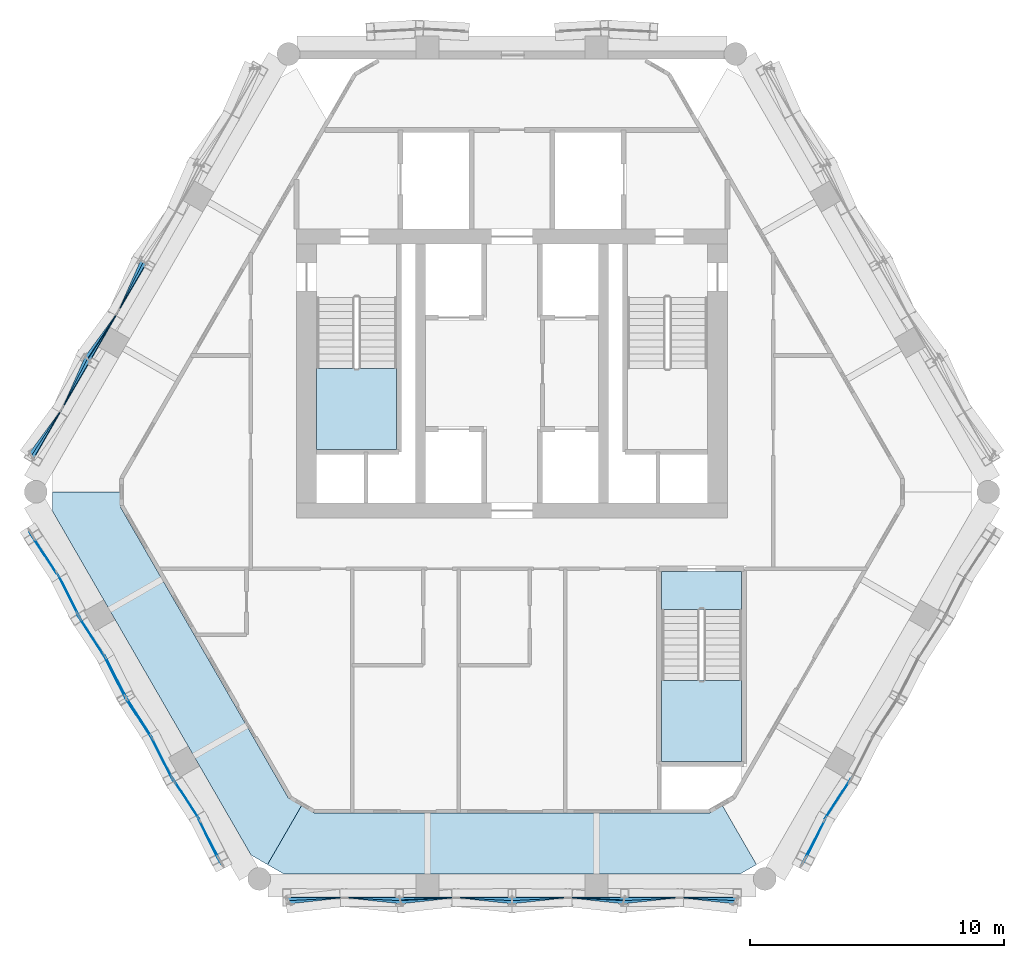
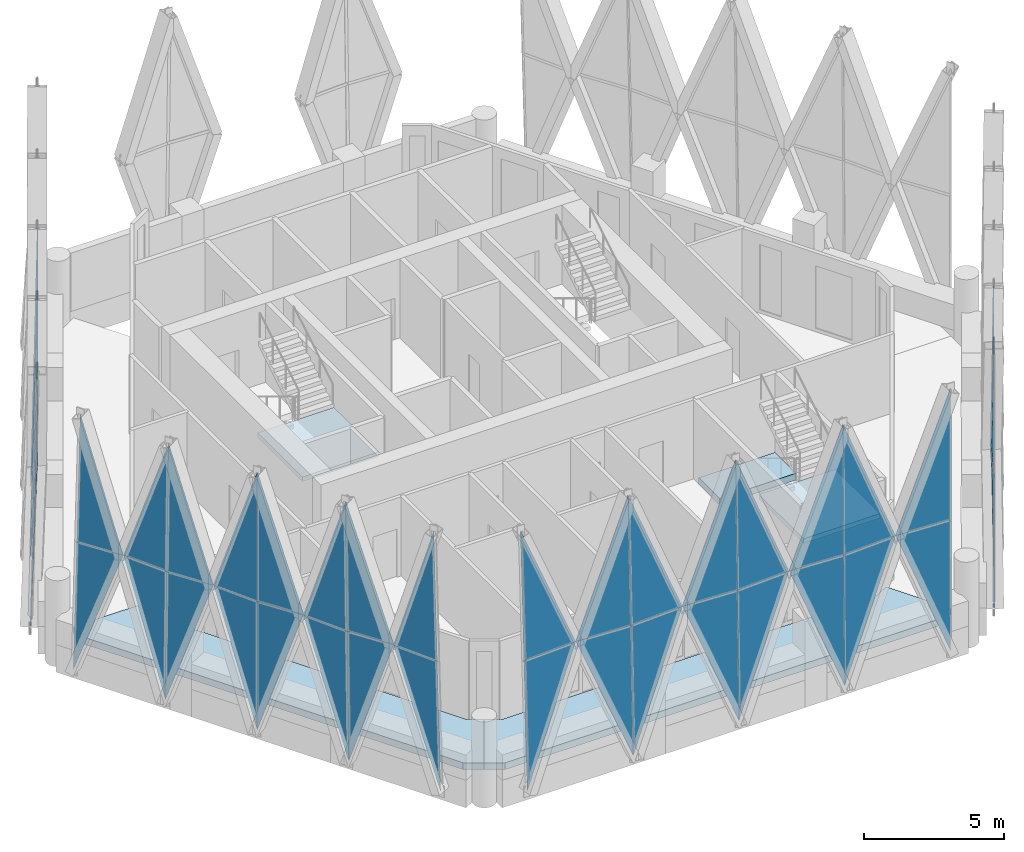
# One storey, part 10 of 22: 44 plates, 5 slabs, 18 elements without a shape of their own.
"""IFC4 building model written with IfcOpenShell, lengths in metres."""

from ifc_helpers import new_model, si_unit, direction, frame, origin, place, context, subcontext, project, spatial, polyline, outline, extrude, material, layer, layer_set, type_object, element, aggregate, save


model = new_model("IFC4")

# Units and contexts
model_context = context("Model", 3, precision=1e-05, world=origin(), true_north=direction((0.0, 1.0)))
body_context = subcontext(model_context, "Body", "Model", "MODEL_VIEW")
ifc_project = project(units=[si_unit("LENGTHUNIT", "METRE"), si_unit("AREAUNIT", "SQUARE_METRE"), si_unit("VOLUMEUNIT", "CUBIC_METRE"), si_unit("PLANEANGLEUNIT", "RADIAN"), si_unit("MASSUNIT", "GRAM", prefix="KILO")], contexts=[model_context])

# Site, building, storey
site_placement = place(None, origin())
site = spatial("IfcSite", under=ifc_project, at=site_placement, CompositionType="ELEMENT")
building_placement = place(site_placement, origin())
building = spatial("IfcBuilding", under=site, at=building_placement, Name="Ostrander Bayou Hotel Tower", CompositionType="ELEMENT")
storey_placement = place(building_placement, frame((0.0, 0.0, 245.0)))
storey = spatial("IfcBuildingStorey", under=building, at=storey_placement, Name="L60", CompositionType="ELEMENT", Elevation=245.0)

# Curtain wall, plate
ifc_material_1 = material(Name="Aluminium and clear glass", Category="aluminium")
curtain_wall_type = type_object("IfcCurtainWallType", Name="CW-LAT lattice glazing", PredefinedType="NOTDEFINED", material=ifc_material_1)
curtain_wall_1_placement = place(storey_placement, origin())
curtain_wall_1 = element("IfcCurtainWall", 1, at=curtain_wall_1_placement, inside=storey, type_object=curtain_wall_type, Name="CW-LAT L60 NW 3", PredefinedType="NOTDEFINED")
ifc_material_2 = material(Name="Clear laminated glass", Category="glass")
ifc_layer_1 = layer(ifc_material_2, 0.028076171875)
ifc_layer_set_1 = layer_set([ifc_layer_1], Name="CW-LA glazing panel 28 mm")
plate_type = type_object("IfcPlateType", Name="CW-LA glazing panel 28 mm", PredefinedType="CURTAIN_PANEL", material=ifc_layer_set_1)
plate_1_placement = place(storey_placement, frame((-15.53515625, 6.4267578125, 5.02490234375), z_axis=(-0.890622219472, 0.454222867184, 0.021763481126), x_axis=(0.148134693691, 0.335039645272, -0.930486189377)))
plate_1 = element("IfcPlate", 2, at=plate_1_placement, type_object=plate_type, Name="CW-LAT panel 9", PredefinedType="CURTAIN_PANEL", context=body_context, shape_type="SweptSolid", body=[
    extrude(outline(polyline([(0.0, 0.0), (6.045226747284706, 0.0), (0.8064430162176557, -2.052024332272967), (0.0, 0.0)])), origin(), (0.0, 0.0, -1.0), 0.028076171875),
])

curtain_wall_2_placement = place(storey_placement, origin())
curtain_wall_2 = element("IfcCurtainWall", 3, at=curtain_wall_2_placement, inside=storey, type_object=curtain_wall_type, Name="CW-LAT L60 NW 4", PredefinedType="NOTDEFINED")
plate_2_placement = place(storey_placement, frame((-15.53515625, 6.4267578125, 5.02490234375), z_axis=(-0.890621469547, 0.454222484717, 0.021802118246), x_axis=(0.183449642421, 0.315004739597, 0.931191839917)))
plate_2 = element("IfcPlate", 4, at=plate_2_placement, type_object=plate_type, Name="CW-LAT panel 10", PredefinedType="CURTAIN_PANEL", context=body_context, shape_type="SweptSolid", body=[
    extrude(outline(polyline([(0.0, 0.0), (6.040645717539933, 4.440892098500626e-16), (0.8024675324486339, 2.053582250121077), (0.0, 0.0)])), origin(), (0.0, 0.0, -1.0), 0.028076171875),
])

curtain_wall_3_placement = place(storey_placement, origin())
curtain_wall_3 = element("IfcCurtainWall", 5, at=curtain_wall_3_placement, inside=storey, type_object=curtain_wall_type, Name="CW-LAT L60 NW 1", PredefinedType="NOTDEFINED")
plate_3_placement = place(storey_placement, frame((-15.53515625, 6.4267578125, 5.02490234375), z_axis=(-0.838663151862, 0.544201168763, 0.022117993262), x_axis=(-0.213646786163, -0.291351243339, -0.932453486114)))
plate_3 = element("IfcPlate", 6, at=plate_3_placement, type_object=plate_type, Name="CW-LAT panel 11", PredefinedType="CURTAIN_PANEL", context=body_context, shape_type="SweptSolid", body=[
    extrude(outline(polyline([(0.0, 0.0), (6.0324724865794614, 0.0), (0.7953038623818991, 2.0564570004537654), (0.0, 0.0)])), origin(), (0.0, 0.0, -1.0), 0.028076171875),
])

curtain_wall_4_placement = place(storey_placement, origin())
curtain_wall_4 = element("IfcCurtainWall", 7, at=curtain_wall_4_placement, inside=storey, type_object=curtain_wall_type, Name="CW-LAT L60 NW 2", PredefinedType="NOTDEFINED")
plate_4_placement = place(storey_placement, frame((-15.53515625, 6.4267578125, 5.02490234375), z_axis=(-0.838663151862, 0.544201168763, 0.022117993262), x_axis=(-0.183621311744, -0.320742431868, 0.929197237551)))
plate_4 = element("IfcPlate", 8, at=plate_4_placement, type_object=plate_type, Name="CW-LAT panel 12", PredefinedType="CURTAIN_PANEL", context=body_context, shape_type="SweptSolid", body=[
    extrude(outline(polyline([(0.0, 0.0), (6.053612486864427, 0.0), (0.8136296465735186, -2.0492755857745237), (0.0, 0.0)])), origin(), (0.0, 0.0, -1.0), 0.028076171875),
])

# Plate
plate_5_placement = place(storey_placement, frame((-17.737060546875, 2.61279296875, 5.02490234375), z_axis=(-0.89065083358, 0.454181005491, 0.021464083839), x_axis=(0.150716283941, 0.339434026641, -0.928476786632)))
plate_5 = element("IfcPlate", 9, at=plate_5_placement, type_object=plate_type, Name="CW-LAT panel 13", PredefinedType="CURTAIN_PANEL", context=body_context, shape_type="SweptSolid", body=[
    extrude(outline(polyline([(0.0, 0.0), (6.0583097832819774, 4.440892098500626e-16), (0.8177429422264888, -2.0477816723040547), (0.0, 0.0)])), origin(), (0.0, 0.0, -1.0), 0.028076171875),
])

aggregate(curtain_wall_1, [plate_1, plate_5])

plate_6_placement = place(storey_placement, frame((-17.737060546875, 2.61279296875, 5.02490234375), z_axis=(-0.89065083358, 0.454181005491, 0.021464083839), x_axis=(0.180882322919, 0.310610509285, 0.933168096742)))
plate_6 = element("IfcPlate", 10, at=plate_6_placement, type_object=plate_type, Name="CW-LAT panel 14", PredefinedType="CURTAIN_PANEL", context=body_context, shape_type="SweptSolid", body=[
    extrude(outline(polyline([(0.0, 0.0), (6.027852880566225, -4.440892098500626e-16), (0.7913409005467719, 2.058128488726457), (0.0, 0.0)])), origin(), (0.0, 0.0, -1.0), 0.028076171875),
])

aggregate(curtain_wall_2, [plate_2, plate_6])

plate_7_placement = place(storey_placement, frame((-17.737060546875, 2.61279296875, 5.02490234375), z_axis=(-0.838657194254, 0.544197302924, 0.022436711359), x_axis=(-0.211136151604, -0.286854783, -0.934417390119)))
plate_7 = element("IfcPlate", 11, at=plate_7_placement, type_object=plate_type, Name="CW-LAT panel 15", PredefinedType="CURTAIN_PANEL", context=body_context, shape_type="SweptSolid", body=[
    extrude(outline(polyline([(0.0, 0.0), (6.019793787534118, 0.0), (0.7839739153540016, 2.060802884382536), (0.0, 0.0)])), origin(), (0.0, 0.0, -1.0), 0.028076171875),
])

aggregate(curtain_wall_3, [plate_3, plate_7])

plate_8_placement = place(storey_placement, frame((-17.737060546875, 2.61279296875, 5.02490234375), z_axis=(-0.838657194254, 0.544197302924, 0.022436711359), x_axis=(-0.186158566981, -0.325113502515, 0.9271710729)))
plate_8 = element("IfcPlate", 12, at=plate_8_placement, type_object=plate_type, Name="CW-LAT panel 16", PredefinedType="CURTAIN_PANEL", context=body_context, shape_type="SweptSolid", body=[
    extrude(outline(polyline([(0.0, 0.0), (6.066841561836484, -4.440892098500626e-16), (0.824759621663542, -2.044821555712937), (0.0, 0.0)])), origin(), (0.0, 0.0, -1.0), 0.028076171875),
])

aggregate(curtain_wall_4, [plate_4, plate_8])

# Curtain wall, plate
curtain_wall_5_placement = place(storey_placement, origin())
curtain_wall_5 = element("IfcCurtainWall", 13, at=curtain_wall_5_placement, inside=storey, type_object=curtain_wall_type, Name="CW-LAT L60 SW 3", PredefinedType="NOTDEFINED")
plate_9_placement = place(storey_placement, frame((-17.9208984375, -3.9013671875, 5.02490234375), z_axis=(0.838107376858, 0.545503597539, 0.001360120238), x_axis=(-0.182056071659, 0.28205812674, -0.941965392099)))
plate_9 = element("IfcPlate", 14, at=plate_9_placement, type_object=plate_type, Name="CW-LAT panel 1", PredefinedType="CURTAIN_PANEL", context=body_context, shape_type="SweptSolid", body=[
    extrude(outline(polyline([(0.0, 0.0), (5.971556967147268, -2.220446049250313e-16), (0.6254744152696513, 1.7550269544099035), (0.0, 0.0)])), origin(), (0.0, 0.0, -1.0), 0.028076171875),
])

curtain_wall_6_placement = place(storey_placement, origin())
curtain_wall_6 = element("IfcCurtainWall", 15, at=curtain_wall_6_placement, inside=storey, type_object=curtain_wall_type, Name="CW-LAT L60 SW 4", PredefinedType="NOTDEFINED")
plate_10_placement = place(storey_placement, frame((-17.9208984375, -3.9013671875, 5.02490234375), z_axis=(0.838107403613, 0.545503614953, 0.001336443909), x_axis=(-0.160737089624, 0.244612550025, 0.95620514974)))
plate_10 = element("IfcPlate", 16, at=plate_10_placement, type_object=plate_type, Name="CW-LAT panel 2", PredefinedType="CURTAIN_PANEL", context=body_context, shape_type="SweptSolid", body=[
    extrude(outline(polyline([(0.0, 0.0), (5.882628849602744, 0.0), (0.5453345639803877, -1.781557764483244), (0.0, 0.0)])), origin(), (0.0, 0.0, -1.0), 0.028076171875),
])

curtain_wall_7_placement = place(storey_placement, origin())
curtain_wall_7 = element("IfcCurtainWall", 17, at=curtain_wall_7_placement, inside=storey, type_object=curtain_wall_type, Name="CW-LAT L60 SW 1", PredefinedType="NOTDEFINED")
plate_11_placement = place(storey_placement, frame((-17.9208984375, -3.9013671875, 5.02490234375), z_axis=(-0.891472848393, -0.453073649286, 0.000654904661), x_axis=(0.137005406206, -0.270950625253, -0.952793407484)))
plate_11 = element("IfcPlate", 18, at=plate_11_placement, type_object=plate_type, Name="CW-LAT panel 3", PredefinedType="CURTAIN_PANEL", context=body_context, shape_type="SweptSolid", body=[
    extrude(outline(polyline([(0.0, 0.0), (5.903693241175272, -2.220446049250313e-16), (0.5657501828332349, 1.7753949495580628), (0.0, 0.0)])), origin(), (0.0, 0.0, -1.0), 0.028076171875),
])

curtain_wall_8_placement = place(storey_placement, origin())
curtain_wall_8 = element("IfcCurtainWall", 19, at=curtain_wall_8_placement, inside=storey, type_object=curtain_wall_type, Name="CW-LAT L60 SW 2", PredefinedType="NOTDEFINED")
plate_12_placement = place(storey_placement, frame((-17.9208984375, -3.9013671875, 5.02490234375), z_axis=(-0.89147283674, -0.453073643364, 0.000674569307), x_axis=(0.147883150311, -0.2895685888, 0.945664108568)))
plate_12 = element("IfcPlate", 20, at=plate_12_placement, type_object=plate_type, Name="CW-LAT panel 4", PredefinedType="CURTAIN_PANEL", context=body_context, shape_type="SweptSolid", body=[
    extrude(outline(polyline([(0.0, 0.0), (5.948200792473272, 0.0), (0.6058605009694835, -1.7621105384331375), (0.0, 0.0)])), origin(), (0.0, 0.0, -1.0), 0.028076171875),
])

# Plate
plate_13_placement = place(storey_placement, frame((-16.060302734375, -7.1240234375, 5.02490234375), z_axis=(0.838107951467, 0.545503971538, 0.000691898779), x_axis=(-0.176819467009, 0.272863467195, -0.94566400183)))
plate_13 = element("IfcPlate", 21, at=plate_13_placement, type_object=plate_type, Name="CW-LAT panel 5", PredefinedType="CURTAIN_PANEL", context=body_context, shape_type="SweptSolid", body=[
    extrude(outline(polyline([(0.0, 0.0), (5.948201463854604, -2.220446049250313e-16), (0.6057944768884687, 1.7619168273881831), (0.0, 0.0)])), origin(), (0.0, 0.0, -1.0), 0.028076171875),
])

plate_14_placement = place(storey_placement, frame((-16.060302734375, -7.1240234375, 5.02490234375), z_axis=(0.838107964962, 0.545503980321, 0.000668222402), x_axis=(-0.166159795937, 0.254119448988, 0.952792856743)))
plate_14 = element("IfcPlate", 22, at=plate_14_placement, type_object=plate_type, Name="CW-LAT panel 6", PredefinedType="CURTAIN_PANEL", context=body_context, shape_type="SweptSolid", body=[
    extrude(outline(polyline([(0.0, 0.0), (5.903696653677123, 2.220446049250313e-16), (0.565691217337407, -1.7751989470167946), (0.0, 0.0)])), origin(), (0.0, 0.0, -1.0), 0.028076171875),
])

plate_15_placement = place(storey_placement, frame((-16.060302734375, -7.1240234375, 5.02490234375), z_axis=(-0.891446139228, -0.453126671976, 0.0), x_axis=(0.142474711453, -0.280293655875, -0.949282056647)))
plate_15 = element("IfcPlate", 23, at=plate_15_placement, type_object=plate_type, Name="CW-LAT panel 7", PredefinedType="CURTAIN_PANEL", context=body_context, shape_type="SweptSolid", body=[
    extrude(outline(polyline([(0.0, 0.0), (5.925530732001198, -2.220446049250313e-16), (0.5858191633609695, 1.7686450643726424), (0.0, 0.0)])), origin(), (0.0, 0.0, -1.0), 0.028076171875),
])

plate_16_placement = place(storey_placement, frame((-16.060302734375, -7.1240234375, 5.02490234375), z_axis=(0.891446139228, 0.453126671976, 0.0), x_axis=(0.142474711453, -0.280293655875, 0.949282056647)))
plate_16 = element("IfcPlate", 24, at=plate_16_placement, type_object=plate_type, Name="CW-LAT panel 8", PredefinedType="CURTAIN_PANEL", context=body_context, shape_type="SweptSolid", body=[
    extrude(outline(polyline([(0.0, 0.0), (5.925530732001198, -2.220446049250313e-16), (0.5858191633609695, 1.7686450643726424), (0.0, 0.0)])), origin(), (0.0, 0.0, -1.0), 0.028076171875),
])

plate_17_placement = place(storey_placement, frame((-14.19970703125, -10.3466796875, 5.02490234375), z_axis=(0.838147138746, 0.545444198624, 0.0), x_axis=(-0.17151977291, 0.263562812228, -0.949271094847)))
plate_17 = element("IfcPlate", 25, at=plate_17_placement, type_object=plate_type, Name="CW-LAT panel 9", PredefinedType="CURTAIN_PANEL", context=body_context, shape_type="SweptSolid", body=[
    extrude(outline(polyline([(0.0, 0.0), (5.9255991576449745, -2.220446049250313e-16), (0.5859492491325975, 1.768831211428544), (0.0, 0.0)])), origin(), (0.0, 0.0, -1.0), 0.028076171875),
])

plate_18_placement = place(storey_placement, frame((-14.19970703125, -10.3466796875, 5.02490234375), z_axis=(-0.838147138746, -0.545444198624, 0.0), x_axis=(-0.17151977291, 0.263562812228, 0.949271094847)))
plate_18 = element("IfcPlate", 26, at=plate_18_placement, type_object=plate_type, Name="CW-LAT panel 10", PredefinedType="CURTAIN_PANEL", context=body_context, shape_type="SweptSolid", body=[
    extrude(outline(polyline([(0.0, 0.0), (5.9255991576449745, -2.220446049250313e-16), (0.5859492491325975, 1.768831211428544), (0.0, 0.0)])), origin(), (0.0, 0.0, -1.0), 0.028076171875),
])

plate_19_placement = place(storey_placement, frame((-14.19970703125, -10.3466796875, 5.02490234375), z_axis=(0.891445948494, 0.453126575024, 0.000654156494), x_axis=(0.147883150311, -0.2895685888, -0.945664108568)))
plate_19 = element("IfcPlate", 27, at=plate_19_placement, type_object=plate_type, Name="CW-LAT panel 11", PredefinedType="CURTAIN_PANEL", context=body_context, shape_type="SweptSolid", body=[
    extrude(outline(polyline([(0.0, 0.0), (5.948200792473272, 2.220446049250313e-16), (0.6057898055132335, -1.7619046987356881), (0.0, 0.0)])), origin(), (0.0, 0.0, -1.0), 0.028076171875),
])

plate_20_placement = place(storey_placement, frame((-14.19970703125, -10.3466796875, 5.02490234375), z_axis=(0.891445936853, 0.453126569107, 0.000673823437), x_axis=(0.137005406206, -0.270950625253, 0.952793407484)))
plate_20 = element("IfcPlate", 28, at=plate_20_placement, type_object=plate_type, Name="CW-LAT panel 12", PredefinedType="CURTAIN_PANEL", context=body_context, shape_type="SweptSolid", body=[
    extrude(outline(polyline([(0.0, 0.0), (5.903693241175272, -2.220446049250313e-16), (0.5656840327782413, 1.7751876044380215), (0.0, 0.0)])), origin(), (0.0, 0.0, -1.0), 0.028076171875),
])

plate_21_placement = place(storey_placement, frame((-12.339111328125, -13.569091796875, 5.02490234375), z_axis=(-0.838107951467, -0.545503971538, 0.000691898779), x_axis=(-0.166161541966, 0.254080765017, -0.952802868814)))
plate_21 = element("IfcPlate", 29, at=plate_21_placement, type_object=plate_type, Name="CW-LAT panel 13", PredefinedType="CURTAIN_PANEL", context=body_context, shape_type="SweptSolid", body=[
    extrude(outline(polyline([(0.0, 0.0), (5.903634617518162, 4.440892098500626e-16), (0.5656325859992353, -1.7752176296212336), (0.0, 0.0)])), origin(), (0.0, 0.0, -1.0), 0.028076171875),
])

aggregate(curtain_wall_5, [plate_9, plate_13, plate_17, plate_21])

plate_22_placement = place(storey_placement, frame((-12.339111328125, -13.569091796875, 5.02490234375), z_axis=(-0.838107964962, -0.545503980321, 0.000668222402), x_axis=(-0.176821447188, 0.272825478054, 0.945674592203)))
plate_22 = element("IfcPlate", 30, at=plate_22_placement, type_object=plate_type, Name="CW-LAT panel 14", PredefinedType="CURTAIN_PANEL", context=body_context, shape_type="SweptSolid", body=[
    extrude(outline(polyline([(0.0, 0.0), (5.948134851434504, -2.220446049250313e-16), (0.6057371685253753, 1.761936530505306), (0.0, 0.0)])), origin(), (0.0, 0.0, -1.0), 0.028076171875),
])

aggregate(curtain_wall_6, [plate_10, plate_14, plate_18, plate_22])

plate_23_placement = place(storey_placement, frame((-12.339111328125, -13.569091796875, 5.02490234375), z_axis=(0.891472251731, 0.453073346044, 0.001329473088), x_axis=(0.153231075086, -0.298735182938, -0.941954100847)))
plate_23 = element("IfcPlate", 31, at=plate_23_placement, type_object=plate_type, Name="CW-LAT panel 15", PredefinedType="CURTAIN_PANEL", context=body_context, shape_type="SweptSolid", body=[
    extrude(outline(polyline([(0.0, 0.0), (5.971628548503757, 2.220446049250313e-16), (0.6256023540909723, -1.7551986186320763), (0.0, 0.0)])), origin(), (0.0, 0.0, -1.0), 0.028076171875),
])

aggregate(curtain_wall_7, [plate_11, plate_15, plate_19, plate_23])

plate_24_placement = place(storey_placement, frame((-12.339111328125, -13.569091796875, 5.02490234375), z_axis=(0.891472205206, 0.453073322399, 0.001368165388), x_axis=(0.131437484346, -0.261505395916, 0.956210811284)))
plate_24 = element("IfcPlate", 32, at=plate_24_placement, type_object=plate_type, Name="CW-LAT panel 16", PredefinedType="CURTAIN_PANEL", context=body_context, shape_type="SweptSolid", body=[
    extrude(outline(polyline([(0.0, 0.0), (5.882594019669017, -2.220446049250313e-16), (0.5453597496776253, 1.7817640808265478), (0.0, 0.0)])), origin(), (0.0, 0.0, -1.0), 0.028076171875),
])

aggregate(curtain_wall_8, [plate_12, plate_16, plate_20, plate_24])

# Curtain wall, plate
curtain_wall_9_placement = place(storey_placement, origin())
curtain_wall_9 = element("IfcCurtainWall", 33, at=curtain_wall_9_placement, inside=storey, type_object=curtain_wall_type, Name="CW-LAT L60 S 3", PredefinedType="NOTDEFINED")
plate_25_placement = place(storey_placement, frame((-6.605712890625, -16.667236328125, 5.02490234375), z_axis=(0.051918074886, -0.998398971004, 0.022450126915), x_axis=(-0.354012987574, -0.039420394538, -0.93440935201)))
plate_25 = element("IfcPlate", 34, at=plate_25_placement, type_object=plate_type, Name="CW-LAT panel 1", PredefinedType="CURTAIN_PANEL", context=body_context, shape_type="SweptSolid", body=[
    extrude(outline(polyline([(0.0, 0.0), (6.019845571858028, 0.0), (0.7840164306553548, -2.0607793347004586), (0.0, 0.0)])), origin(), (0.0, 0.0, -1.0), 0.028076171875),
])

curtain_wall_10_placement = place(storey_placement, origin())
curtain_wall_10 = element("IfcCurtainWall", 35, at=curtain_wall_10_placement, inside=storey, type_object=curtain_wall_type, Name="CW-LAT L60 S 4", PredefinedType="NOTDEFINED")
plate_26_placement = place(storey_placement, frame((-6.605712890625, -16.667236328125, 5.02490234375), z_axis=(0.051918074886, -0.998398971004, 0.022450126915), x_axis=(-0.374614398759, 0.00136823392, 0.927179691418)))
plate_26 = element("IfcPlate", 36, at=plate_26_placement, type_object=plate_type, Name="CW-LAT panel 2", PredefinedType="CURTAIN_PANEL", context=body_context, shape_type="SweptSolid", body=[
    extrude(outline(polyline([(0.0, 0.0), (6.066785168036241, 0.0), (0.8247083888429513, 2.0448347862940155), (0.0, 0.0)])), origin(), (0.0, 0.0, -1.0), 0.028076171875),
])

curtain_wall_11_placement = place(storey_placement, origin())
curtain_wall_11 = element("IfcCurtainWall", 37, at=curtain_wall_11_placement, inside=storey, type_object=curtain_wall_type, Name="CW-LAT L60 S 1", PredefinedType="NOTDEFINED")
plate_27_placement = place(storey_placement, frame((-6.605712890625, -16.667236328125, 5.02490234375), z_axis=(-0.051919192497, -0.99842046297, 0.021470365016), x_axis=(0.369298447368, -0.039170459498, -0.928484965885)))
plate_27 = element("IfcPlate", 38, at=plate_27_placement, type_object=plate_type, Name="CW-LAT panel 3", PredefinedType="CURTAIN_PANEL", context=body_context, shape_type="SweptSolid", body=[
    extrude(outline(polyline([(0.0, 0.0), (6.058256414135914, 0.0), (0.8176449322070849, 2.0476694056175426), (0.0, 0.0)])), origin(), (0.0, 0.0, -1.0), 0.028076171875),
])

curtain_wall_12_placement = place(storey_placement, origin())
curtain_wall_12 = element("IfcCurtainWall", 39, at=curtain_wall_12_placement, inside=storey, type_object=curtain_wall_type, Name="CW-LAT L60 S 2", PredefinedType="NOTDEFINED")
plate_28_placement = place(storey_placement, frame((-6.605712890625, -16.667236328125, 5.02490234375), z_axis=(-0.051919192497, -0.99842046297, 0.021470365016), x_axis=(0.359418379895, 0.001377081915, 0.933175509665)))
plate_28 = element("IfcPlate", 40, at=plate_28_placement, type_object=plate_type, Name="CW-LAT panel 4", PredefinedType="CURTAIN_PANEL", context=body_context, shape_type="SweptSolid", body=[
    extrude(outline(polyline([(0.0, 0.0), (6.027804996743497, 0.0), (0.7912471964968107, -2.05801387359317), (0.0, 0.0)])), origin(), (0.0, 0.0, -1.0), 0.028076171875),
])

# Plate
plate_29_placement = place(storey_placement, frame((-2.201904296875, -16.667236328125, 5.02490234375), z_axis=(0.051918452958, -0.99840624143, 0.022123546663), x_axis=(-0.359140518013, -0.039337906638, -0.932454083279)))
plate_29 = element("IfcPlate", 41, at=plate_29_placement, type_object=plate_type, Name="CW-LAT panel 5", PredefinedType="CURTAIN_PANEL", context=body_context, shape_type="SweptSolid", body=[
    extrude(outline(polyline([(0.0, 0.0), (6.032468623250849, 0.0), (0.7952973169361344, -2.056452140833872), (0.0, 0.0)])), origin(), (0.0, 0.0, -1.0), 0.028076171875),
])

plate_30_placement = place(storey_placement, frame((-2.201904296875, -16.667236328125, 5.02490234375), z_axis=(0.051918452958, -0.99840624143, 0.022123546663), x_axis=(-0.369581738258, 0.001371211163, 0.929197211859)))
plate_30 = element("IfcPlate", 42, at=plate_30_placement, type_object=plate_type, Name="CW-LAT panel 6", PredefinedType="CURTAIN_PANEL", context=body_context, shape_type="SweptSolid", body=[
    extrude(outline(polyline([(0.0, 0.0), (6.053612654248606, -4.440892098500626e-16), (0.8136266111612648, 2.049269374063904), (0.0, 0.0)])), origin(), (0.0, 0.0, -1.0), 0.028076171875),
])

plate_31_placement = place(storey_placement, frame((-2.201904296875, -16.667236328125, 5.02490234375), z_axis=(-0.051918825495, -0.99841340542, 0.021796959328), x_axis=(0.364235731847, -0.039254588242, -0.930479128701)))
plate_31 = element("IfcPlate", 43, at=plate_31_placement, type_object=plate_type, Name="CW-LAT panel 7", PredefinedType="CURTAIN_PANEL", context=body_context, shape_type="SweptSolid", body=[
    extrude(outline(polyline([(0.0, 0.0), (6.045272619767124, 4.440892098500626e-16), (0.8065069500519685, 2.052081813521064), (0.0, 0.0)])), origin(), (0.0, 0.0, -1.0), 0.028076171875),
])

plate_32_placement = place(storey_placement, frame((-2.201904296875, -16.667236328125, 5.02490234375), z_axis=(-0.051918825495, -0.99841340542, 0.021796959328), x_axis=(0.364516341977, 0.00137416073, 0.931195977286)))
plate_32 = element("IfcPlate", 44, at=plate_32_placement, type_object=plate_type, Name="CW-LAT panel 8", PredefinedType="CURTAIN_PANEL", context=body_context, shape_type="SweptSolid", body=[
    extrude(outline(polyline([(0.0, 0.0), (6.040618878522792, 4.440892098500626e-16), (0.802472755592291, -2.0536627538128407), (0.0, 0.0)])), origin(), (0.0, 0.0, -1.0), 0.028076171875),
])

plate_33_placement = place(storey_placement, frame((2.201904296875, -16.667236328125, 5.02490234375), z_axis=(0.051918825495, -0.99841340542, 0.021796959328), x_axis=(-0.364235731847, -0.039254588242, -0.930479128701)))
plate_33 = element("IfcPlate", 45, at=plate_33_placement, type_object=plate_type, Name="CW-LAT panel 9", PredefinedType="CURTAIN_PANEL", context=body_context, shape_type="SweptSolid", body=[
    extrude(outline(polyline([(0.0, 0.0), (6.045272619767124, -4.440892098500626e-16), (0.8065069500519685, -2.052081813521064), (0.0, 0.0)])), origin(), (0.0, 0.0, -1.0), 0.028076171875),
])

plate_34_placement = place(storey_placement, frame((2.201904296875, -16.667236328125, 5.02490234375), z_axis=(0.051918825495, -0.99841340542, 0.021796959328), x_axis=(-0.364516341977, 0.00137416073, 0.931195977286)))
plate_34 = element("IfcPlate", 46, at=plate_34_placement, type_object=plate_type, Name="CW-LAT panel 10", PredefinedType="CURTAIN_PANEL", context=body_context, shape_type="SweptSolid", body=[
    extrude(outline(polyline([(0.0, 0.0), (6.040618878522792, -4.440892098500626e-16), (0.802472755592291, 2.0536627538128407), (0.0, 0.0)])), origin(), (0.0, 0.0, -1.0), 0.028076171875),
])

plate_35_placement = place(storey_placement, frame((2.201904296875, -16.667236328125, 5.02490234375), z_axis=(-0.051918452958, -0.99840624143, 0.022123546663), x_axis=(0.359140518013, -0.039337906638, -0.932454083279)))
plate_35 = element("IfcPlate", 47, at=plate_35_placement, type_object=plate_type, Name="CW-LAT panel 11", PredefinedType="CURTAIN_PANEL", context=body_context, shape_type="SweptSolid", body=[
    extrude(outline(polyline([(0.0, 0.0), (6.032468623250849, 0.0), (0.7952973169361344, 2.056452140833872), (0.0, 0.0)])), origin(), (0.0, 0.0, -1.0), 0.028076171875),
])

plate_36_placement = place(storey_placement, frame((2.201904296875, -16.667236328125, 5.02490234375), z_axis=(-0.051918452958, -0.99840624143, 0.022123546663), x_axis=(0.369581738258, 0.001371211163, 0.929197211859)))
plate_36 = element("IfcPlate", 48, at=plate_36_placement, type_object=plate_type, Name="CW-LAT panel 12", PredefinedType="CURTAIN_PANEL", context=body_context, shape_type="SweptSolid", body=[
    extrude(outline(polyline([(0.0, 0.0), (6.053612654248606, 4.440892098500626e-16), (0.8136266111612648, -2.049269374063904), (0.0, 0.0)])), origin(), (0.0, 0.0, -1.0), 0.028076171875),
])

plate_37_placement = place(storey_placement, frame((6.605712890625, -16.667236328125, 5.02490234375), z_axis=(0.051919192497, -0.99842046297, 0.021470365016), x_axis=(-0.369298447368, -0.039170459498, -0.928484965885)))
plate_37 = element("IfcPlate", 49, at=plate_37_placement, type_object=plate_type, Name="CW-LAT panel 13", PredefinedType="CURTAIN_PANEL", context=body_context, shape_type="SweptSolid", body=[
    extrude(outline(polyline([(0.0, 0.0), (6.058256414135914, 0.0), (0.8176449322070849, -2.0476694056175426), (0.0, 0.0)])), origin(), (0.0, 0.0, -1.0), 0.028076171875),
])

aggregate(curtain_wall_9, [plate_25, plate_29, plate_33, plate_37])

plate_38_placement = place(storey_placement, frame((6.605712890625, -16.667236328125, 5.02490234375), z_axis=(0.051919192497, -0.99842046297, 0.021470365016), x_axis=(-0.359418379895, 0.001377081915, 0.933175509665)))
plate_38 = element("IfcPlate", 50, at=plate_38_placement, type_object=plate_type, Name="CW-LAT panel 14", PredefinedType="CURTAIN_PANEL", context=body_context, shape_type="SweptSolid", body=[
    extrude(outline(polyline([(0.0, 0.0), (6.027804996743497, 0.0), (0.7912471964968107, 2.05801387359317), (0.0, 0.0)])), origin(), (0.0, 0.0, -1.0), 0.028076171875),
])

aggregate(curtain_wall_10, [plate_26, plate_30, plate_34, plate_38])

plate_39_placement = place(storey_placement, frame((6.605712890625, -16.667236328125, 5.02490234375), z_axis=(-0.051918074886, -0.998398971004, 0.022450126915), x_axis=(0.354012987574, -0.039420394538, -0.93440935201)))
plate_39 = element("IfcPlate", 51, at=plate_39_placement, type_object=plate_type, Name="CW-LAT panel 15", PredefinedType="CURTAIN_PANEL", context=body_context, shape_type="SweptSolid", body=[
    extrude(outline(polyline([(0.0, 0.0), (6.019845571858028, 0.0), (0.7840164306553548, 2.0607793347004586), (0.0, 0.0)])), origin(), (0.0, 0.0, -1.0), 0.028076171875),
])

aggregate(curtain_wall_11, [plate_27, plate_31, plate_35, plate_39])

plate_40_placement = place(storey_placement, frame((6.605712890625, -16.667236328125, 5.02490234375), z_axis=(-0.051918074886, -0.998398971004, 0.022450126915), x_axis=(0.374614398759, 0.00136823392, 0.927179691418)))
plate_40 = element("IfcPlate", 52, at=plate_40_placement, type_object=plate_type, Name="CW-LAT panel 16", PredefinedType="CURTAIN_PANEL", context=body_context, shape_type="SweptSolid", body=[
    extrude(outline(polyline([(0.0, 0.0), (6.066785168036241, 0.0), (0.8247083888429513, -2.0448347862940155), (0.0, 0.0)])), origin(), (0.0, 0.0, -1.0), 0.028076171875),
])

aggregate(curtain_wall_12, [plate_28, plate_32, plate_36, plate_40])

# Curtain wall, plate
curtain_wall_13_placement = place(storey_placement, origin())
curtain_wall_13 = element("IfcCurtainWall", 53, at=curtain_wall_13_placement, inside=storey, type_object=curtain_wall_type, Name="CW-LAT L60 SE 3", PredefinedType="NOTDEFINED")
plate_41_placement = place(storey_placement, frame((12.339111328125, -13.569091796875, 5.02490234375), z_axis=(-0.891472251731, 0.453073346044, 0.001329473088), x_axis=(-0.153231075086, -0.298735182938, -0.941954100847)))
plate_41 = element("IfcPlate", 54, at=plate_41_placement, type_object=plate_type, Name="CW-LAT panel 1", PredefinedType="CURTAIN_PANEL", context=body_context, shape_type="SweptSolid", body=[
    extrude(outline(polyline([(0.0, 0.0), (5.971628548503757, -2.220446049250313e-16), (0.6256023540909723, 1.7551986186320763), (0.0, 0.0)])), origin(), (0.0, 0.0, -1.0), 0.028076171875),
])
aggregate(curtain_wall_13, [plate_41])

curtain_wall_14_placement = place(storey_placement, origin())
curtain_wall_14 = element("IfcCurtainWall", 55, at=curtain_wall_14_placement, inside=storey, type_object=curtain_wall_type, Name="CW-LAT L60 SE 4", PredefinedType="NOTDEFINED")
plate_42_placement = place(storey_placement, frame((12.339111328125, -13.569091796875, 5.02490234375), z_axis=(-0.891472205206, 0.453073322399, 0.001368165388), x_axis=(-0.131437484346, -0.261505395916, 0.956210811284)))
plate_42 = element("IfcPlate", 56, at=plate_42_placement, type_object=plate_type, Name="CW-LAT panel 2", PredefinedType="CURTAIN_PANEL", context=body_context, shape_type="SweptSolid", body=[
    extrude(outline(polyline([(0.0, 0.0), (5.882594019669017, 2.220446049250313e-16), (0.5453597496776253, -1.7817640808265478), (0.0, 0.0)])), origin(), (0.0, 0.0, -1.0), 0.028076171875),
])
aggregate(curtain_wall_14, [plate_42])

curtain_wall_15_placement = place(storey_placement, origin())
curtain_wall_15 = element("IfcCurtainWall", 57, at=curtain_wall_15_placement, inside=storey, type_object=curtain_wall_type, Name="CW-LAT L60 SE 1", PredefinedType="NOTDEFINED")
plate_43_placement = place(storey_placement, frame((12.339111328125, -13.569091796875, 5.02490234375), z_axis=(0.838107951467, -0.545503971538, 0.000691898779), x_axis=(0.166161541966, 0.254080765017, -0.952802868814)))
plate_43 = element("IfcPlate", 58, at=plate_43_placement, type_object=plate_type, Name="CW-LAT panel 3", PredefinedType="CURTAIN_PANEL", context=body_context, shape_type="SweptSolid", body=[
    extrude(outline(polyline([(0.0, 0.0), (5.903634617518162, -4.440892098500626e-16), (0.5656325859992353, 1.7752176296212336), (0.0, 0.0)])), origin(), (0.0, 0.0, -1.0), 0.028076171875),
])
aggregate(curtain_wall_15, [plate_43])

curtain_wall_16_placement = place(storey_placement, origin())
curtain_wall_16 = element("IfcCurtainWall", 59, at=curtain_wall_16_placement, inside=storey, type_object=curtain_wall_type, Name="CW-LAT L60 SE 2", PredefinedType="NOTDEFINED")
plate_44_placement = place(storey_placement, frame((12.339111328125, -13.569091796875, 5.02490234375), z_axis=(0.838107964962, -0.545503980321, 0.000668222402), x_axis=(0.176821447188, 0.272825478054, 0.945674592203)))
plate_44 = element("IfcPlate", 60, at=plate_44_placement, type_object=plate_type, Name="CW-LAT panel 4", PredefinedType="CURTAIN_PANEL", context=body_context, shape_type="SweptSolid", body=[
    extrude(outline(polyline([(0.0, 0.0), (5.948134851434504, 2.220446049250313e-16), (0.6057371685253753, -1.761936530505306), (0.0, 0.0)])), origin(), (0.0, 0.0, -1.0), 0.028076171875),
])
aggregate(curtain_wall_16, [plate_44])

# Slabs
ifc_material_3 = material(Name="Concrete f'c 40 MPa", Category="concrete")
ifc_layer_2 = layer(ifc_material_3, 0.300048828125)
ifc_layer_set_2 = layer_set([ifc_layer_2], Name="SL1 floor slab 300 mm f'c 40 MPa")
slab_type_1 = type_object("IfcSlabType", Name="SL1 floor slab 300 mm f'c 40 MPa", PredefinedType="FLOOR", material=ifc_layer_set_2)
slab_1_placement = place(storey_placement, frame((0.0, 0.0, -0.300048828125)))
element("IfcSlab", 61, at=slab_1_placement, inside=storey, type_object=slab_type_1, Name="cslab:L60:004", PredefinedType="FLOOR", context=body_context, shape_type="SweptSolid", body=[
    extrude(outline(polyline([(9.050048828125, -5.300048828125), (9.050048828125, -3.800048828125), (5.89990234375, -3.800048828125), (5.89990234375, -5.300048828125), (9.050048828125, -5.300048828125)])), origin(), (0.0, 0.0, 1.0), 0.300048828125),
])
ifc_material_4 = material(Name="Concrete f'c 40 MPa", Category="concrete")
ifc_layer_3 = layer(ifc_material_4, 0.300048828125)
ifc_layer_set_3 = layer_set([ifc_layer_3], Name="SL4 loggia slab 300 mm f'c 40 MPa")
slab_type_2 = type_object("IfcSlabType", Name="SL4 loggia slab 300 mm f'c 40 MPa", PredefinedType="FLOOR", material=ifc_layer_set_3)
slab_2_placement = place(storey_placement, frame((0.0, 0.0, -0.300048828125)))
element("IfcSlab", 62, at=slab_2_placement, inside=storey, type_object=slab_type_2, Name="SL4 LOGGIA L60 SW 1", PredefinedType="FLOOR", context=body_context, shape_type="SweptSolid", body=[
    extrude(outline(polyline([(-8.2939453125, -13.034423828125), (-9.63623046875, -15.359619140625), (-10.285888671875, -14.984619140625), (-12.328125, -11.447021484375), (-12.748046875, -10.719482421875), (-15.657470703125, -5.680419921875), (-16.077392578125, -4.952880859375), (-16.893310546875, -3.5400390625), (-18.119873046875, -1.41552734375), (-18.119873046875, -0.66552734375), (-15.435302734375, -0.66552734375), (-15.435302734375, -1.265380859375), (-8.8134765625, -12.734619140625), (-8.2939453125, -13.034423828125)])), origin(), (0.0, 0.0, 1.0), 0.300048828125),
])
slab_3_placement = place(storey_placement, frame((0.0, 0.0, -0.300048828125)))
element("IfcSlab", 63, at=slab_3_placement, inside=storey, type_object=slab_type_2, Name="SL4 LOGGIA L60 S 1", PredefinedType="FLOOR", context=body_context, shape_type="SweptSolid", body=[
    extrude(outline(polyline([(8.2939453125, -13.034423828125), (9.63623046875, -15.359619140625), (8.98681640625, -15.734619140625), (3.74951171875, -15.734619140625), (2.909423828125, -15.734619140625), (-2.909423828125, -15.734619140625), (-3.74951171875, -15.734619140625), (-8.98681640625, -15.734619140625), (-9.63623046875, -15.359619140625), (-8.2939453125, -13.034423828125), (-7.7744140625, -13.33447265625), (7.7744140625, -13.33447265625), (8.2939453125, -13.034423828125)])), origin(), (0.0, 0.0, 1.0), 0.300048828125),
])

# Stair, slab
ifc_material_5 = material(Name="Concrete f'c 45 MPa", Category="concrete")
stair_type = type_object("IfcStairType", Name="ST1 exit stair 1500 mm f'c 45 MPa", PredefinedType="HALF_TURN_STAIR", material=ifc_material_5)
stair_1_placement = place(storey_placement, origin())
stair_1 = element("IfcStair", 64, at=stair_1_placement, inside=storey, type_object=stair_type, Name="L60 exit stair A", PredefinedType="HALF_TURN_STAIR")
ifc_material_6 = material(Name="Concrete f'c 45 MPa", Category="concrete")
ifc_layer_4 = layer(ifc_material_6, 0.199951171875)
ifc_layer_set_4 = layer_set([ifc_layer_4], Name="SL8 stair landing 200 mm f'c 45 MPa")
slab_type_3 = type_object("IfcSlabType", Name="SL8 stair landing 200 mm f'c 45 MPa", PredefinedType="LANDING", material=ifc_layer_set_4)
slab_4_placement = place(storey_placement, frame((0.0, 0.0, 1.675048828125)))
slab_4 = element("IfcSlab", 65, at=slab_4_placement, type_object=slab_type_3, Name="STA landing 1", PredefinedType="LANDING", context=body_context, shape_type="SweptSolid", body=[
    extrude(outline(polyline([(-7.699951171875, 4.199951171875), (-7.699951171875, 1.0), (-4.550048828125, 1.0), (-4.550048828125, 4.199951171875), (-7.699951171875, 4.199951171875)])), origin(), (0.0, 0.0, 1.0), 0.199951171875),
])
aggregate(stair_1, [slab_4])

stair_2_placement = place(storey_placement, origin())
stair_2 = element("IfcStair", 66, at=stair_2_placement, inside=storey, type_object=stair_type, Name="L60 exit stair C", PredefinedType="HALF_TURN_STAIR")
slab_5_placement = place(storey_placement, frame((0.0, 0.0, 1.675048828125)))
slab_5 = element("IfcSlab", 67, at=slab_5_placement, type_object=slab_type_3, Name="STC landing 1", PredefinedType="LANDING", context=body_context, shape_type="SweptSolid", body=[
    extrude(outline(polyline([(5.89990234375, -8.10009765625), (5.89990234375, -11.300048828125), (9.050048828125, -11.300048828125), (9.050048828125, -8.10009765625), (5.89990234375, -8.10009765625)])), origin(), (0.0, 0.0, 1.0), 0.199951171875),
])
aggregate(stair_2, [slab_5])

save(model, "model.ifc")
